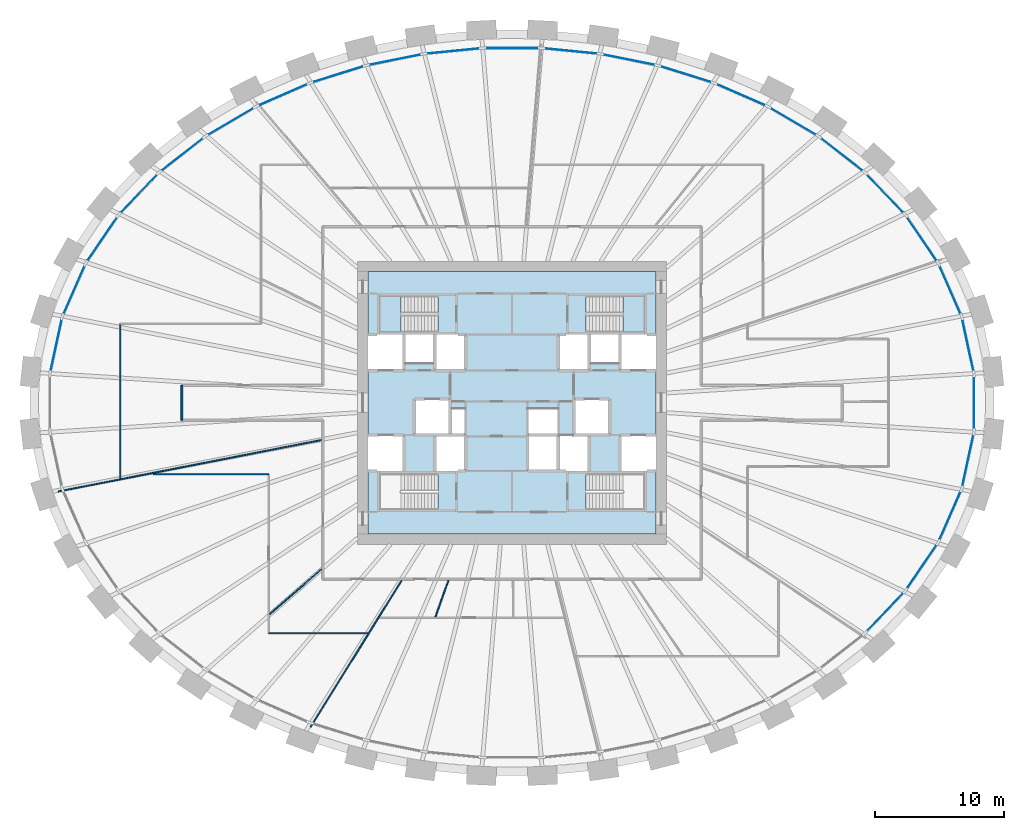
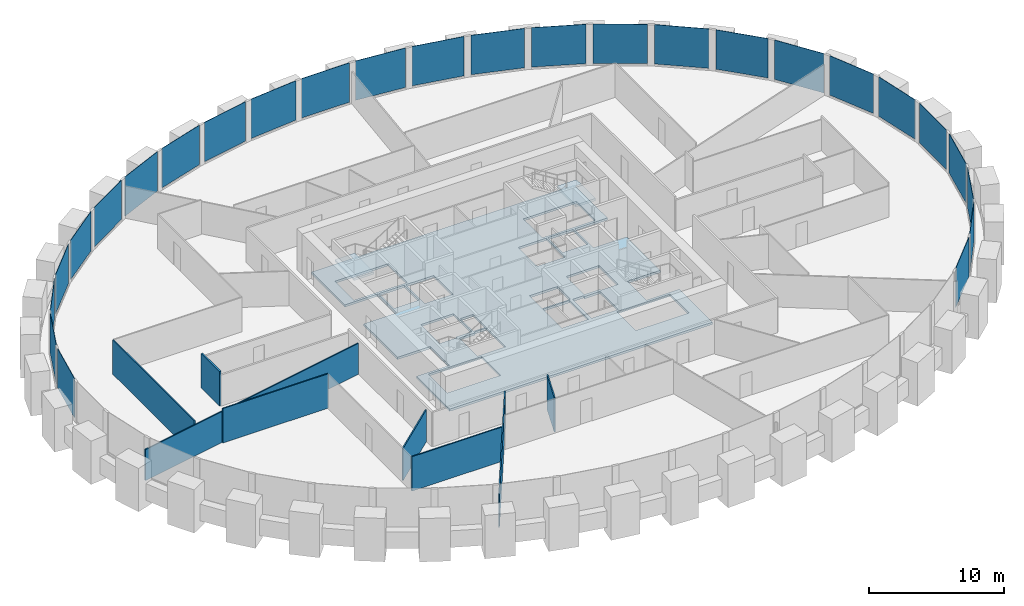
# One storey, part 5 of 10: 26 plates, 8 walls, 3 slabs, 3 elements without a shape of their own.
"""IFC4 building model written with IfcOpenShell, lengths in metres."""

import ifcopenshell
import ifcopenshell.guid

model = None  # the IFC model being written
_history = None  # IfcOwnerHistory: only IFC2X3 demands one
_inside = {}  # id of a spatial element -> (the spatial element, [elements in it])
_under = {}  # id of a project, library or spatial element -> (it, [spatial elements below it])
_declared = {}  # id of a project -> (the project, [libraries it declares])
_typed = {}  # id of a type object -> (the type object, [elements of that type])
_made_of = {}  # id of a material, layer set ... -> (it, [elements and type objects made of it])


def new_model(schema):
    """Start an empty IFC model of exactly this schema.

    Asked for "IFC4X3", IfcOpenShell would pick the latest addendum, in which some entities
    have other attributes; the version numbers below select the first issue.
    IFC2X3 requires an IfcOwnerHistory on every rooted entity: one is made here for all.
    """
    global model, _history
    if schema == "IFC4X3":
        model = ifcopenshell.file(schema_version=(4, 3, 0, 0))
    else:
        model = ifcopenshell.file(schema=schema)
    _inside.clear()
    _under.clear()
    _declared.clear()
    _typed.clear()
    _made_of.clear()
    _history = None
    if model.schema == "IFC2X3":
        org = make("IfcOrganization", Name="unknown")
        user = make(
            "IfcPersonAndOrganization",
            ThePerson=make("IfcPerson", FamilyName="unknown"),
            TheOrganization=org,
        )
        app = make(
            "IfcApplication",
            ApplicationDeveloper=org,
            Version="unknown",
            ApplicationFullName="unknown",
            ApplicationIdentifier="unknown",
        )
        _history = make(
            "IfcOwnerHistory",
            OwningUser=user,
            OwningApplication=app,
            ChangeAction="ADDED",
            CreationDate=0,
        )
    return model


def make(cls, **values):
    """One entity of the class cls with the attributes given. An attribute that is None is left unset."""
    return model.create_entity(
        cls, **{name: value for name, value in values.items() if value is not None}
    )


def rooted(cls, **values):
    """An entity with a GlobalId (a new one), such as an element, a storey or a relation."""
    return make(cls, GlobalId=ifcopenshell.guid.new(), OwnerHistory=_history, **values)


def si_unit(unit_type, name, prefix=None):
    """IfcSIUnit, for example si_unit("LENGTHUNIT", "METRE", prefix="MILLI")."""
    return make("IfcSIUnit", UnitType=unit_type, Prefix=prefix, Name=name)


def assignment(units):
    """IfcUnitAssignment: the units of a project."""
    return None if units is None else make("IfcUnitAssignment", Units=units)


def point(xyz):
    """IfcCartesianPoint."""
    return None if xyz is None else make("IfcCartesianPoint", Coordinates=xyz)


def direction(xyz):
    """IfcDirection."""
    return None if xyz is None else make("IfcDirection", DirectionRatios=xyz)


def frame(location, z_axis=None, x_axis=None):
    """IfcAxis2Placement3D, a coordinate frame: its origin and axes. An axis left out is left unset."""
    return make(
        "IfcAxis2Placement3D",
        Location=point(location),
        Axis=direction(z_axis),
        RefDirection=direction(x_axis),
    )


def frame_2d(location, x_axis=None):
    """IfcAxis2Placement2D, a coordinate frame in the plane: its origin and x axis."""
    return make(
        "IfcAxis2Placement2D", Location=point(location), RefDirection=direction(x_axis)
    )


def origin():
    """The frame at (0, 0, 0) with its axes left unset."""
    return frame((0.0, 0.0, 0.0))


def origin_2d():
    """The frame at (0, 0) in the plane with its x axis left unset."""
    return frame_2d((0.0, 0.0))


def place(relative_to, where):
    """IfcLocalPlacement: puts the frame where relative to a parent placement (None: the world)."""
    return make(
        "IfcLocalPlacement", PlacementRelTo=relative_to, RelativePlacement=where
    )


def context(
    kind, dimensions, precision=None, world=None, true_north=None, identifier=None
):
    """IfcGeometricRepresentationContext, for example the 3D "Model" context."""
    return make(
        "IfcGeometricRepresentationContext",
        ContextIdentifier=identifier,
        ContextType=kind,
        CoordinateSpaceDimension=dimensions,
        Precision=precision,
        WorldCoordinateSystem=world,
        TrueNorth=true_north,
    )


def subcontext(parent, identifier, kind, view, scale=None):
    """IfcGeometricRepresentationSubContext, for example "Body" below "Model"."""
    return make(
        "IfcGeometricRepresentationSubContext",
        ContextIdentifier=identifier,
        ContextType=kind,
        ParentContext=parent,
        TargetScale=scale,
        TargetView=view,
    )


def project(units=None, contexts=None):
    """IfcProject with its units and contexts."""
    return rooted(
        "IfcProject",
        Name="project",
        RepresentationContexts=contexts,
        UnitsInContext=assignment(units),
    )


def spatial(cls, under=None, at=None, **own):
    """A site, building, storey or space (cls), placed at a placement, below another one or the project."""
    s = rooted(cls, ObjectPlacement=at, **own)
    if under is not None:
        _under.setdefault(under.id(), (under, []))[1].append(s)
    return s


def polyline(points):
    """IfcPolyline through the points."""
    return make("IfcPolyline", Points=[point(p) for p in points])


def profile(cls, at=None, kind="AREA", **sizes):
    """A parametric profile (cls). Its sizes go by their IFC names, for example OverallWidth=200.0."""
    return make(cls, ProfileType=kind, Position=at, **sizes)


def rectangle(**sizes):
    """IfcRectangleProfileDef."""
    return profile("IfcRectangleProfileDef", **sizes)


def outline(outer, holes=None, kind="AREA"):
    """IfcArbitraryClosedProfileDef: a profile drawn as a closed curve; with holes, ...WithVoids."""
    if holes is None:
        return make("IfcArbitraryClosedProfileDef", ProfileType=kind, OuterCurve=outer)
    return make(
        "IfcArbitraryProfileDefWithVoids",
        ProfileType=kind,
        OuterCurve=outer,
        InnerCurves=holes,
    )


def extrude(swept, where, along, depth):
    """IfcExtrudedAreaSolid: the profile swept, set in the frame where, extruded along a direction by depth."""
    return make(
        "IfcExtrudedAreaSolid",
        SweptArea=swept,
        Position=where,
        ExtrudedDirection=direction(along),
        Depth=depth,
    )


def shape(context_of_items, identifier, shape_type, items):
    """IfcShapeRepresentation: the items that make up one representation, for example the "Body"."""
    return make(
        "IfcShapeRepresentation",
        ContextOfItems=context_of_items,
        RepresentationIdentifier=identifier,
        RepresentationType=shape_type,
        Items=items,
    )


def source(mapping_origin, context_of_items, identifier, shape_type, items):
    """IfcRepresentationMap: a shape defined once, which mapped items show again and again."""
    return make(
        "IfcRepresentationMap",
        MappingOrigin=mapping_origin,
        MappedRepresentation=shape(context_of_items, identifier, shape_type, items),
    )


def transform(
    local_origin,
    x_axis=None,
    y_axis=None,
    z_axis=None,
    scale=None,
    scale2=None,
    scale3=None,
    uniform=True,
):
    """IfcCartesianTransformationOperator3D, or its non-uniform kind. x_axis, y_axis, z_axis: its Axis1, 2, 3."""
    if uniform:
        return make(
            "IfcCartesianTransformationOperator3D",
            Axis1=direction(x_axis),
            Axis2=direction(y_axis),
            LocalOrigin=point(local_origin),
            Scale=scale,
            Axis3=direction(z_axis),
        )
    return make(
        "IfcCartesianTransformationOperator3DnonUniform",
        Axis1=direction(x_axis),
        Axis2=direction(y_axis),
        LocalOrigin=point(local_origin),
        Scale=scale,
        Axis3=direction(z_axis),
        Scale2=scale2,
        Scale3=scale3,
    )


def mapped(mapping_source, mapping_target):
    """IfcMappedItem: shows the shape of a source again, moved by a transform."""
    return make(
        "IfcMappedItem", MappingSource=mapping_source, MappingTarget=mapping_target
    )


def material(Name=None, Category=None):
    """IfcMaterial."""
    return make("IfcMaterial", Name=Name, Category=Category)


def layer(
    of_material, thickness, ventilated=None, Name=None, Category=None, Priority=None
):
    """IfcMaterialLayer: one layer of a wall or slab, of a material (None: an air gap)."""
    return make(
        "IfcMaterialLayer",
        Material=of_material,
        LayerThickness=thickness,
        IsVentilated=ventilated,
        Name=Name,
        Category=Category,
        Priority=Priority,
    )


def layer_set(layers, Name=None):
    """IfcMaterialLayerSet."""
    return make("IfcMaterialLayerSet", MaterialLayers=layers, LayerSetName=Name)


def made_of(thing, what):
    """Note that an element or type object is made of a material, layer set ...; save() writes the relation."""
    if what is not None:
        _made_of.setdefault(what.id(), (what, []))[1].append(thing)
    return thing


def type_object(cls, material=None, **own):
    """A type object (cls), such as IfcWallType, which elements share."""
    return made_of(rooted(cls, **own), material)


def element(
    cls,
    number,
    at=None,
    inside=None,
    cuts=None,
    type_object=None,
    material=None,
    context=None,
    identifier="Body",
    shape_type=None,
    held_by="IfcProductDefinitionShape",
    body=None,
    shapes=None,
    **own,
):
    """One element of the class cls, such as IfcWall. Its Tag is "e" and its number.

    at: its placement. inside: the storey or other place that contains it. cuts: it is an
    opening in that element (IfcRelVoidsElement). A single representation is given by context,
    identifier, shape_type and body (its items); several are given by shapes. held_by: the class
    of the entity that holds the representations. save() writes the other relations.
    """
    e = rooted(cls, Tag="e%d" % number, ObjectPlacement=at, **own)
    if body is not None:
        shapes = [shape(context, identifier, shape_type, body)]
    if shapes is not None:
        e.Representation = make(held_by, Representations=shapes)
    if inside is not None:
        _inside.setdefault(inside.id(), (inside, []))[1].append(e)
    if cuts is not None:
        rooted(
            "IfcRelVoidsElement", RelatingBuildingElement=cuts, RelatedOpeningElement=e
        )
    if type_object is not None:
        _typed.setdefault(type_object.id(), (type_object, []))[1].append(e)
    return made_of(e, material)


def aggregate(whole, parts):
    """IfcRelAggregates: a whole, such as a stair, and the parts it consists of."""
    return rooted("IfcRelAggregates", RelatingObject=whole, RelatedObjects=parts)


def save(model, path):
    """Write the relations noted so far, then the file.

    IfcRelAggregates (storeys below a building ...), IfcRelContainedInSpatialStructure (elements
    in a storey), IfcRelDefinesByType, IfcRelAssociatesMaterial and IfcRelDeclares: one each for
    every whole, place, type object, material and project.
    """
    for whole, parts in _under.values():
        aggregate(whole, parts)
    for where, things in _inside.values():
        rooted(
            "IfcRelContainedInSpatialStructure",
            RelatedElements=things,
            RelatingStructure=where,
        )
    for kind, things in _typed.values():
        rooted("IfcRelDefinesByType", RelatedObjects=things, RelatingType=kind)
    for what, things in _made_of.values():
        rooted("IfcRelAssociatesMaterial", RelatedObjects=things, RelatingMaterial=what)
    for by, libraries in _declared.values():
        rooted("IfcRelDeclares", RelatingContext=by, RelatedDefinitions=libraries)
    model.write(path)


model = new_model("IFC4")

# Units and contexts
model_context = context("Model", 3, precision=1e-05, world=origin(), true_north=direction((0.0, 1.0)))
body_context = subcontext(model_context, "Body", "Model", "MODEL_VIEW")
ifc_project = project(units=[si_unit("LENGTHUNIT", "METRE"), si_unit("AREAUNIT", "SQUARE_METRE"), si_unit("VOLUMEUNIT", "CUBIC_METRE"), si_unit("PLANEANGLEUNIT", "RADIAN"), si_unit("MASSUNIT", "GRAM", prefix="KILO")], contexts=[model_context])

# Site, building, storey
site_placement = place(None, origin())
site = spatial("IfcSite", under=ifc_project, at=site_placement, CompositionType="ELEMENT")
building_placement = place(site_placement, origin())
building = spatial("IfcBuilding", under=site, at=building_placement, Name="Embergate Tower", CompositionType="ELEMENT")
storey_placement = place(building_placement, frame((0.0, 0.0, 171.60009765625)))
storey = spatial("IfcBuildingStorey", under=building, at=storey_placement, Name="L38", CompositionType="ELEMENT", Elevation=171.60009765625)

# Curtain wall, plates
ifc_material_1 = material(Name="Aluminium and glass", Category="aluminium")
curtain_wall_type = type_object("IfcCurtainWallType", Name="Recessed office glazing", PredefinedType="NOTDEFINED", material=ifc_material_1)
curtain_wall_placement = place(storey_placement, origin())
curtain_wall = element("IfcCurtainWall", 1, at=curtain_wall_placement, inside=storey, type_object=curtain_wall_type, Name="Recessed office glazing ring", ObjectType="RECESSED OFFICE GLAZING", PredefinedType="USERDEFINED")
ifc_material_2 = material(Name="Triple glazing, low-emissivity coating", Category="glass")
ifc_layer_1 = layer(ifc_material_2, 0.035888671875)
ifc_layer_set_1 = layer_set([ifc_layer_1], Name="Triple glazing, low-emissivity coating")
plate_type = type_object("IfcPlateType", Name="Office glazing unit", PredefinedType="CURTAIN_PANEL", material=ifc_layer_set_1)
shared_shape_1 = source(origin(), body_context, "Body", "SweptSolid", [
    extrude(rectangle(XDim=4.055419921875, YDim=0.035888671875, at=origin_2d()), origin(), (0.0, 0.0, 1.0), 3.550048828125),
])
plate_1_placement = place(storey_placement, frame((13.518798828125, 25.533935546875, 0.14990234375), z_axis=(0.0, 0.0, 1.0), x_axis=(-0.954773255075, 0.29733488089, 0.0)))
plate_1 = element("IfcPlate", 2, at=plate_1_placement, type_object=plate_type, Name="CW panel 8.1", PredefinedType="CURTAIN_PANEL", context=body_context, shape_type="MappedRepresentation", body=[
    mapped(shared_shape_1, transform((0.0, 0.0, 0.0))),
])
plate_2_placement = place(storey_placement, frame((-13.518798828125, 25.533935546875, 0.14990234375), z_axis=(0.0, 0.0, 1.0), x_axis=(-0.954773255075, -0.29733488089, 0.0)))
plate_2 = element("IfcPlate", 3, at=plate_2_placement, type_object=plate_type, Name="CW panel 14.1", PredefinedType="CURTAIN_PANEL", context=body_context, shape_type="MappedRepresentation", body=[
    mapped(shared_shape_1, transform((0.0, 0.0, 0.0))),
])
shared_shape_2 = source(origin(), body_context, "Body", "SweptSolid", [
    extrude(rectangle(XDim=4.009765625, YDim=0.035888671875, at=origin_2d()), origin(), (0.0, 0.0, 1.0), 3.550048828125),
])
plate_3_placement = place(storey_placement, frame((35.423095703125, 4.4775390625, 0.14990234375), z_axis=(0.0, 0.0, 1.0), x_axis=(-0.210401803698, 0.977614996305, 0.0)))
plate_3 = element("IfcPlate", 4, at=plate_3_placement, type_object=plate_type, Name="CW panel 1.1", PredefinedType="CURTAIN_PANEL", context=body_context, shape_type="MappedRepresentation", body=[
    mapped(shared_shape_2, transform((0.0, 0.0, 0.0))),
])
plate_4_placement = place(storey_placement, frame((-35.423095703125, 4.4775390625, 0.14990234375), z_axis=(0.0, 0.0, 1.0), x_axis=(-0.210401803698, -0.977614996305, 0.0)))
plate_4 = element("IfcPlate", 5, at=plate_4_placement, type_object=plate_type, Name="CW panel 21.1", PredefinedType="CURTAIN_PANEL", context=body_context, shape_type="MappedRepresentation", body=[
    mapped(shared_shape_2, transform((0.0, 0.0, 0.0))),
])
plate_5_placement = place(storey_placement, frame((35.423095703125, -4.4775390625, 0.14990234375), z_axis=(0.0, 0.0, 1.0), x_axis=(0.210401803698, 0.977614996305, 0.0)))
plate_5 = element("IfcPlate", 6, at=plate_5_placement, type_object=plate_type, Name="CW panel 43.1", PredefinedType="CURTAIN_PANEL", context=body_context, shape_type="MappedRepresentation", body=[
    mapped(shared_shape_2, transform((0.0, 0.0, 0.0))),
])
shared_shape_3 = source(origin(), body_context, "Body", "SweptSolid", [
    extrude(rectangle(XDim=4.0166015625, YDim=0.035888671875, at=origin_2d()), origin(), (0.0, 0.0, 1.0), 3.550048828125),
])
plate_6_placement = place(storey_placement, frame((34.03564453125, 8.76904296875, 0.14990234375), z_axis=(0.0, 0.0, 1.0), x_axis=(-0.401658494584, 0.915789524797, 0.0)))
plate_6 = element("IfcPlate", 7, at=plate_6_placement, type_object=plate_type, Name="CW panel 2.1", PredefinedType="CURTAIN_PANEL", context=body_context, shape_type="MappedRepresentation", body=[
    mapped(shared_shape_3, transform((0.0, 0.0, 0.0))),
])
plate_7_placement = place(storey_placement, frame((-34.03564453125, 8.76904296875, 0.14990234375), z_axis=(0.0, 0.0, 1.0), x_axis=(-0.401658494584, -0.915789524797, 0.0)))
plate_7 = element("IfcPlate", 8, at=plate_7_placement, type_object=plate_type, Name="CW panel 20.1", PredefinedType="CURTAIN_PANEL", context=body_context, shape_type="MappedRepresentation", body=[
    mapped(shared_shape_3, transform((0.0, 0.0, 0.0))),
])
plate_8_placement = place(storey_placement, frame((34.03564453125, -8.76904296875, 0.14990234375), z_axis=(0.0, 0.0, 1.0), x_axis=(0.401658494584, 0.915789524797, 0.0)))
plate_8 = element("IfcPlate", 9, at=plate_8_placement, type_object=plate_type, Name="CW panel 42.1", PredefinedType="CURTAIN_PANEL", context=body_context, shape_type="MappedRepresentation", body=[
    mapped(shared_shape_3, transform((0.0, 0.0, 0.0))),
])
shared_shape_4 = source(origin(), body_context, "Body", "SweptSolid", [
    extrude(rectangle(XDim=4.025390625, YDim=0.035888671875, at=origin_2d()), origin(), (0.0, 0.0, 1.0), 3.550048828125),
])
plate_9_placement = place(storey_placement, frame((31.846435546875, 12.7255859375, 0.14990234375), z_axis=(0.0, 0.0, 1.0), x_axis=(-0.562347514787, 0.826901005328, 0.0)))
plate_9 = element("IfcPlate", 10, at=plate_9_placement, type_object=plate_type, Name="CW panel 3.1", PredefinedType="CURTAIN_PANEL", context=body_context, shape_type="MappedRepresentation", body=[
    mapped(shared_shape_4, transform((0.0, 0.0, 0.0))),
])
plate_10_placement = place(storey_placement, frame((-31.846435546875, 12.7255859375, 0.14990234375), z_axis=(0.0, 0.0, 1.0), x_axis=(-0.562347514787, -0.826901005328, 0.0)))
plate_10 = element("IfcPlate", 11, at=plate_10_placement, type_object=plate_type, Name="CW panel 19.1", PredefinedType="CURTAIN_PANEL", context=body_context, shape_type="MappedRepresentation", body=[
    mapped(shared_shape_4, transform((0.0, 0.0, 0.0))),
])
plate_11_placement = place(storey_placement, frame((31.846435546875, -12.7255859375, 0.14990234375), z_axis=(0.0, 0.0, 1.0), x_axis=(0.562347514787, 0.826901005328, 0.0)))
plate_11 = element("IfcPlate", 12, at=plate_11_placement, type_object=plate_type, Name="CW panel 41.1", PredefinedType="CURTAIN_PANEL", context=body_context, shape_type="MappedRepresentation", body=[
    mapped(shared_shape_4, transform((0.0, 0.0, 0.0))),
])
shared_shape_5 = source(origin(), body_context, "Body", "SweptSolid", [
    extrude(rectangle(XDim=4.0341796875, YDim=0.035888671875, at=origin_2d()), origin(), (0.0, 0.0, 1.0), 3.550048828125),
])
plate_12_placement = place(storey_placement, frame((28.996826171875, 16.252685546875, 0.14990234375), z_axis=(0.0, 0.0, 1.0), x_axis=(-0.690140099753, 0.723675785634, 0.0)))
plate_12 = element("IfcPlate", 13, at=plate_12_placement, type_object=plate_type, Name="CW panel 4.1", PredefinedType="CURTAIN_PANEL", context=body_context, shape_type="MappedRepresentation", body=[
    mapped(shared_shape_5, transform((0.0, 0.0, 0.0))),
])
plate_13_placement = place(storey_placement, frame((-28.996826171875, 16.252685546875, 0.14990234375), z_axis=(0.0, 0.0, 1.0), x_axis=(-0.690140099753, -0.723675785634, 0.0)))
plate_13 = element("IfcPlate", 14, at=plate_13_placement, type_object=plate_type, Name="CW panel 18.1", PredefinedType="CURTAIN_PANEL", context=body_context, shape_type="MappedRepresentation", body=[
    mapped(shared_shape_5, transform((0.0, 0.0, 0.0))),
])
plate_14_placement = place(storey_placement, frame((28.996826171875, -16.252685546875, 0.14990234375), z_axis=(0.0, 0.0, 1.0), x_axis=(0.690140099753, 0.723675785634, 0.0)))
plate_14 = element("IfcPlate", 15, at=plate_14_placement, type_object=plate_type, Name="CW panel 40.1", PredefinedType="CURTAIN_PANEL", context=body_context, shape_type="MappedRepresentation", body=[
    mapped(shared_shape_5, transform((0.0, 0.0, 0.0))),
])
shared_shape_6 = source(origin(), body_context, "Body", "SweptSolid", [
    extrude(rectangle(XDim=4.04150390625, YDim=0.035888671875, at=origin_2d()), origin(), (0.0, 0.0, 1.0), 3.550048828125),
])
plate_15_placement = place(storey_placement, frame((25.62744140625, 19.3037109375, 0.14990234375), z_axis=(0.0, 0.0, 1.0), x_axis=(-0.788324414597, 0.61525979663, 0.0)))
plate_15 = element("IfcPlate", 16, at=plate_15_placement, type_object=plate_type, Name="CW panel 5.1", PredefinedType="CURTAIN_PANEL", context=body_context, shape_type="MappedRepresentation", body=[
    mapped(shared_shape_6, transform((0.0, 0.0, 0.0))),
])
plate_16_placement = place(storey_placement, frame((-25.62744140625, 19.3037109375, 0.14990234375), z_axis=(0.0, 0.0, 1.0), x_axis=(-0.788324414597, -0.61525979663, 0.0)))
plate_16 = element("IfcPlate", 17, at=plate_16_placement, type_object=plate_type, Name="CW panel 17.1", PredefinedType="CURTAIN_PANEL", context=body_context, shape_type="MappedRepresentation", body=[
    mapped(shared_shape_6, transform((0.0, 0.0, 0.0))),
])
shared_shape_7 = source(origin(), body_context, "Body", "SweptSolid", [
    extrude(rectangle(XDim=4.047607421875, YDim=0.035888671875, at=origin_2d()), origin(), (0.0, 0.0, 1.0), 3.550048828125),
])
plate_17_placement = place(storey_placement, frame((21.86083984375, 21.864501953125, 0.14990234375), z_axis=(0.0, 0.0, 1.0), x_axis=(-0.862055821492, 0.506813339043, 0.0)))
plate_17 = element("IfcPlate", 18, at=plate_17_placement, type_object=plate_type, Name="CW panel 6.1", PredefinedType="CURTAIN_PANEL", context=body_context, shape_type="MappedRepresentation", body=[
    mapped(shared_shape_7, transform((0.0, 0.0, 0.0))),
])
plate_18_placement = place(storey_placement, frame((-21.86083984375, 21.864501953125, 0.14990234375), z_axis=(0.0, 0.0, 1.0), x_axis=(-0.862055821492, -0.506813339043, 0.0)))
plate_18 = element("IfcPlate", 19, at=plate_18_placement, type_object=plate_type, Name="CW panel 16.1", PredefinedType="CURTAIN_PANEL", context=body_context, shape_type="MappedRepresentation", body=[
    mapped(shared_shape_7, transform((0.0, 0.0, 0.0))),
])
shared_shape_8 = source(origin(), body_context, "Body", "SweptSolid", [
    extrude(rectangle(XDim=4.052001953125, YDim=0.035888671875, at=origin_2d()), origin(), (0.0, 0.0, 1.0), 3.550048828125),
])
plate_19_placement = place(storey_placement, frame((17.797607421875, 23.937744140625, 0.14990234375), z_axis=(0.0, 0.0, 1.0), x_axis=(-0.916238309467, 0.400633698365, 0.0)))
plate_19 = element("IfcPlate", 20, at=plate_19_placement, type_object=plate_type, Name="CW panel 7.1", PredefinedType="CURTAIN_PANEL", context=body_context, shape_type="MappedRepresentation", body=[
    mapped(shared_shape_8, transform((0.0, 0.0, 0.0))),
])
plate_20_placement = place(storey_placement, frame((-17.797607421875, 23.937744140625, 0.14990234375), z_axis=(0.0, 0.0, 1.0), x_axis=(-0.916238309467, -0.400633698365, 0.0)))
plate_20 = element("IfcPlate", 21, at=plate_20_placement, type_object=plate_type, Name="CW panel 15.1", PredefinedType="CURTAIN_PANEL", context=body_context, shape_type="MappedRepresentation", body=[
    mapped(shared_shape_8, transform((0.0, 0.0, 0.0))),
])
shared_shape_9 = source(origin(), body_context, "Body", "SweptSolid", [
    extrude(rectangle(XDim=4.0576171875, YDim=0.035888671875, at=origin_2d()), origin(), (0.0, 0.0, 1.0), 3.550048828125),
])
plate_21_placement = place(storey_placement, frame((9.090576171875, 26.6640625, 0.14990234375), z_axis=(0.0, 0.0, 1.0), x_axis=(-0.980476250608, 0.196637539636, 0.0)))
plate_21 = element("IfcPlate", 22, at=plate_21_placement, type_object=plate_type, Name="CW panel 9.1", PredefinedType="CURTAIN_PANEL", context=body_context, shape_type="MappedRepresentation", body=[
    mapped(shared_shape_9, transform((0.0, 0.0, 0.0))),
])
plate_22_placement = place(storey_placement, frame((-9.090576171875, 26.6640625, 0.14990234375), z_axis=(0.0, 0.0, 1.0), x_axis=(-0.980476250608, -0.196637539636, 0.0)))
plate_22 = element("IfcPlate", 23, at=plate_22_placement, type_object=plate_type, Name="CW panel 13.1", PredefinedType="CURTAIN_PANEL", context=body_context, shape_type="MappedRepresentation", body=[
    mapped(shared_shape_9, transform((0.0, 0.0, 0.0))),
])
shared_shape_10 = source(origin(), body_context, "Body", "SweptSolid", [
    extrude(rectangle(XDim=4.058837890625, YDim=0.035888671875, at=origin_2d()), origin(), (0.0, 0.0, 1.0), 3.550048828125),
])
plate_23_placement = place(storey_placement, frame((4.568115234375, 27.338134765625, 0.14990234375), z_axis=(0.0, 0.0, 1.0), x_axis=(-0.995203355531, 0.09782781373, 0.0)))
plate_23 = element("IfcPlate", 24, at=plate_23_placement, type_object=plate_type, Name="CW panel 10.1", PredefinedType="CURTAIN_PANEL", context=body_context, shape_type="MappedRepresentation", body=[
    mapped(shared_shape_10, transform((0.0, 0.0, 0.0))),
])
plate_24_placement = place(storey_placement, frame((-4.568115234375, 27.338134765625, 0.14990234375), z_axis=(0.0, 0.0, 1.0), x_axis=(-0.995203355531, -0.09782781373, 0.0)))
plate_24 = element("IfcPlate", 25, at=plate_24_placement, type_object=plate_type, Name="CW panel 12.1", PredefinedType="CURTAIN_PANEL", context=body_context, shape_type="MappedRepresentation", body=[
    mapped(shared_shape_10, transform((0.0, 0.0, 0.0))),
])
shared_shape_11 = source(origin(), body_context, "Body", "SweptSolid", [
    extrude(rectangle(XDim=4.05908203125, YDim=0.035888671875, at=origin_2d()), origin(), (0.0, 0.0, 1.0), 3.550048828125),
])
plate_25_placement = place(storey_placement, frame((0.0, 27.56201171875, 0.14990234375), z_axis=(0.0, 0.0, 1.0), x_axis=(-1.0, 0.0, 0.0)))
plate_25 = element("IfcPlate", 26, at=plate_25_placement, type_object=plate_type, Name="CW panel 11.1", PredefinedType="CURTAIN_PANEL", context=body_context, shape_type="MappedRepresentation", body=[
    mapped(shared_shape_11, transform((0.0, 0.0, 0.0))),
])
shared_shape_12 = source(origin(), body_context, "Body", "SweptSolid", [
    extrude(rectangle(XDim=4.007080078125, YDim=0.035888671875, at=origin_2d()), origin(), (0.0, 0.0, 1.0), 3.550048828125),
])
plate_26_placement = place(storey_placement, frame((35.899658203125, 0.0, 0.14990234375), z_axis=(0.0, 0.0, 1.0), x_axis=(0.0, 1.0, 0.0)))
plate_26 = element("IfcPlate", 27, at=plate_26_placement, type_object=plate_type, Name="CW panel 44.1", PredefinedType="CURTAIN_PANEL", context=body_context, shape_type="MappedRepresentation", body=[
    mapped(shared_shape_12, transform((0.0, 0.0, 0.0))),
])
aggregate(curtain_wall, [plate_3, plate_6, plate_9, plate_12, plate_15, plate_17, plate_19, plate_1, plate_21, plate_23, plate_25, plate_24, plate_22, plate_2, plate_20, plate_18, plate_16, plate_13, plate_10, plate_7, plate_4, plate_14, plate_11, plate_8, plate_5, plate_26])

# Stair, slab
ifc_material_3 = material(Name="Exit stair")
stair_type = type_object("IfcStairType", Name="Exit stair", PredefinedType="HALF_TURN_STAIR", material=ifc_material_3)
stair_1_placement = place(storey_placement, origin())
stair_1 = element("IfcStair", 28, at=stair_1_placement, inside=storey, type_object=stair_type, Name="L38 Exit stair 1", PredefinedType="HALF_TURN_STAIR")
ifc_material_4 = material(Name="Concrete C40", Category="concrete")
ifc_layer_2 = layer(ifc_material_4, 0.199951171875)
ifc_layer_set_2 = layer_set([ifc_layer_2], Name="Concrete C40")
slab_type_1 = type_object("IfcSlabType", Name="Stair landing reinforced concrete", PredefinedType="LANDING", material=ifc_layer_set_2)
shared_shape_13 = source(origin(), body_context, "Body", "SweptSolid", [
    extrude(outline(polyline([(0.0, 0.0), (1.68994140625, 0.0), (1.68994140625, 2.800048828125), (0.0, 2.800048828125), (0.0, 0.0)])), origin(), (0.0, 0.0, 1.0), 0.199951171875),
])
slab_1_placement = place(storey_placement, frame((-10.300048828125, 5.5, 1.75)))
slab_1 = element("IfcSlab", 29, at=slab_1_placement, type_object=slab_type_1, Name="ST1 landing 1", PredefinedType="LANDING", context=body_context, shape_type="MappedRepresentation", body=[
    mapped(shared_shape_13, transform((0.0, 0.0, 0.0))),
])
aggregate(stair_1, [slab_1])

stair_2_placement = place(storey_placement, origin())
stair_2 = element("IfcStair", 30, at=stair_2_placement, inside=storey, type_object=stair_type, Name="L38 Exit stair 2", PredefinedType="HALF_TURN_STAIR")
slab_2_placement = place(storey_placement, frame((8.610107421875, 5.5, 1.75)))
slab_2 = element("IfcSlab", 31, at=slab_2_placement, type_object=slab_type_1, Name="ST2 landing 1", PredefinedType="LANDING", context=body_context, shape_type="MappedRepresentation", body=[
    mapped(shared_shape_13, transform((0.0, 0.0, 0.0))),
])
aggregate(stair_2, [slab_2])

# Slab
ifc_layer_3 = layer(ifc_material_4, 0.199951171875)
ifc_layer_set_3 = layer_set([ifc_layer_3], Name="Concrete C40")
slab_type_2 = type_object("IfcSlabType", Name="Core floor slab 200 reinforced concrete", PredefinedType="FLOOR", material=ifc_layer_set_3)
shared_shape_14 = source(origin(), body_context, "Body", "SweptSolid", [
    extrude(outline(polyline([(0.0, 0.0), (22.39990234375, 0.0), (22.39990234375, 4.89990234375), (19.599853515625, 4.89990234375), (19.599853515625, 7.699951171875), (22.39990234375, 7.699951171875), (22.39990234375, 12.699951171875), (19.599853515625, 12.699951171875), (19.599853515625, 15.5), (22.39990234375, 15.5), (22.39990234375, 20.39990234375), (0.0, 20.39990234375), (0.0, 15.5), (2.800048828125, 15.5), (2.800048828125, 12.699951171875), (0.0, 12.699951171875), (0.0, 7.699951171875), (2.800048828125, 7.699951171875), (2.800048828125, 4.89990234375), (0.0, 4.89990234375), (0.0, 0.0)]), holes=[polyline([(0.89990234375, 1.89990234375), (0.89990234375, 4.699951171875), (5.43994140625, 4.699951171875), (5.43994140625, 1.89990234375), (0.89990234375, 1.89990234375)]), polyline([(16.9599609375, 1.89990234375), (16.9599609375, 4.699951171875), (21.5, 4.699951171875), (21.5, 1.89990234375), (16.9599609375, 1.89990234375)]), polyline([(5.199951171875, 4.89990234375), (5.199951171875, 7.574951171875), (6.52490234375, 7.574951171875), (6.52490234375, 7.699951171875), (7.599853515625, 7.699951171875), (7.599853515625, 4.89990234375), (5.199951171875, 4.89990234375)]), polyline([(12.39990234375, 4.89990234375), (12.39990234375, 7.699951171875), (14.675048828125, 7.699951171875), (14.675048828125, 4.89990234375), (12.39990234375, 4.89990234375)]), polyline([(14.925048828125, 4.89990234375), (14.925048828125, 7.699951171875), (15.875, 7.699951171875), (15.875, 7.574951171875), (17.199951171875, 7.574951171875), (17.199951171875, 4.89990234375), (14.925048828125, 4.89990234375)]), polyline([(3.599853515625, 7.699951171875), (3.599853515625, 10.5), (6.39990234375, 10.5), (6.39990234375, 7.824951171875), (5.074951171875, 7.824951171875), (5.074951171875, 7.699951171875), (3.599853515625, 7.699951171875)]), polyline([(17.324951171875, 7.699951171875), (17.324951171875, 7.824951171875), (16.0, 7.824951171875), (16.0, 10.5), (18.800048828125, 10.5), (18.800048828125, 7.699951171875), (17.324951171875, 7.699951171875)]), polyline([(6.52490234375, 7.824951171875), (6.52490234375, 9.699951171875), (7.599853515625, 9.699951171875), (7.599853515625, 7.824951171875), (6.52490234375, 7.824951171875)]), polyline([(12.39990234375, 7.824951171875), (12.39990234375, 9.699951171875), (14.800048828125, 9.699951171875), (14.800048828125, 7.824951171875), (14.675048828125, 7.824951171875), (12.39990234375, 7.824951171875)]), polyline([(5.199951171875, 12.699951171875), (5.199951171875, 15.5), (7.599853515625, 15.5), (7.599853515625, 12.699951171875), (5.199951171875, 12.699951171875)]), polyline([(14.800048828125, 12.699951171875), (14.800048828125, 15.5), (17.199951171875, 15.5), (17.199951171875, 12.699951171875), (14.800048828125, 12.699951171875)]), polyline([(2.925048828125, 13.300048828125), (2.925048828125, 15.5), (5.074951171875, 15.5), (5.074951171875, 13.300048828125), (2.925048828125, 13.300048828125)]), polyline([(17.324951171875, 13.300048828125), (17.324951171875, 15.5), (19.474853515625, 15.5), (19.474853515625, 13.300048828125), (17.324951171875, 13.300048828125)]), polyline([(0.89990234375, 15.699951171875), (0.89990234375, 18.5), (5.43994140625, 18.5), (5.43994140625, 15.699951171875), (0.89990234375, 15.699951171875)]), polyline([(16.9599609375, 15.699951171875), (16.9599609375, 18.5), (21.5, 18.5), (21.5, 15.699951171875), (16.9599609375, 15.699951171875)])]), origin(), (0.0, 0.0, 1.0), 0.2001953125),
])
slab_3_placement = place(storey_placement, frame((-11.199951171875, -10.199951171875, -0.2001953125)))
element("IfcSlab", 32, at=slab_3_placement, inside=storey, type_object=slab_type_2, Name="Core floor slab", PredefinedType="FLOOR", context=body_context, shape_type="MappedRepresentation", body=[
    mapped(shared_shape_14, transform((0.0, 0.0, 0.0))),
])

# Walls
ifc_material_5 = material(Name="Corridor wall dry-lined 150")
ifc_layer_4 = layer(ifc_material_5, 0.14990234375)
ifc_layer_set_4 = layer_set([ifc_layer_4], Name="Corridor wall dry-lined 150")
wall_type_1 = type_object("IfcWallType", Name="Corridor wall dry-lined 150", PredefinedType="PARTITIONING", material=ifc_layer_set_4)
shared_shape_15 = source(origin(), body_context, "Body", "SweptSolid", [
    extrude(rectangle(XDim=2.7001953125, YDim=0.14990234375, at=frame_2d((1.35009765625, 0.0))), origin(), (0.0, 0.0, 1.0), 3.099853515625),
])
wall_1_placement = place(storey_placement, frame((-25.64990234375, -1.35009765625, 0.0), z_axis=(0.0, 0.0, 1.0), x_axis=(0.0, 1.0, 0.0)))
element("IfcWall", 33, at=wall_1_placement, inside=storey, type_object=wall_type_1, Name="IP-2 wall", PredefinedType="PARTITIONING", context=body_context, shape_type="MappedRepresentation", body=[
    mapped(shared_shape_15, transform((0.0, 0.0, 0.0))),
])
ifc_material_6 = material(Name="Partition dry-lined 100")
ifc_layer_5 = layer(ifc_material_6, 0.10009765625)
ifc_layer_set_5 = layer_set([ifc_layer_5], Name="Partition dry-lined 100")
wall_type_2 = type_object("IfcWallType", Name="Partition dry-lined 100", PredefinedType="PARTITIONING", material=ifc_layer_set_5)
shared_shape_16 = source(origin(), body_context, "Body", "SweptSolid", [
    extrude(rectangle(XDim=5.321044921875, YDim=0.10009765625, at=frame_2d((2.66064453125, 0.0))), origin(), (0.0, 0.0, 1.0), 2.89990234375),
])
wall_2_placement = place(storey_placement, frame((-14.80810546875, -12.923095703125, 0.0), z_axis=(0.0, 0.0, 1.0), x_axis=(-0.753383328619, -0.65758159962, 0.0)))
element("IfcWall", 34, at=wall_2_placement, inside=storey, type_object=wall_type_2, Name="IP-1 wall", PredefinedType="PARTITIONING", context=body_context, shape_type="MappedRepresentation", body=[
    mapped(shared_shape_16, transform((0.0, 0.0, 0.0))),
])
shared_shape_17 = source(origin(), body_context, "Body", "SweptSolid", [
    extrude(rectangle(XDim=8.984130859375, YDim=0.10009765625, at=frame_2d((4.4921875, 0.0))), origin(), (0.0, 0.0, 1.0), 3.099853515625),
])
wall_3_placement = place(storey_placement, frame((-18.89990234375, -5.550048828125, 0.0), z_axis=(0.0, 0.0, 1.0), x_axis=(-1.0, 0.0, 0.0)))
element("IfcWall", 35, at=wall_3_placement, inside=storey, type_object=wall_type_2, Name="IP-1 wall", PredefinedType="PARTITIONING", context=body_context, shape_type="MappedRepresentation", body=[
    mapped(shared_shape_17, transform((0.0, 0.0, 0.0))),
])
shared_shape_18 = source(origin(), body_context, "Body", "SweptSolid", [
    extrude(rectangle(XDim=13.40380859375, YDim=0.10009765625, at=frame_2d((6.701904296875, 0.0))), origin(), (0.0, 0.0, 1.0), 2.89990234375),
])
wall_4_placement = place(storey_placement, frame((-8.575927734375, -13.801025390625, 0.0), z_axis=(0.0, 0.0, 1.0), x_axis=(-0.527762253898, -0.849392137567, 0.0)))
element("IfcWall", 36, at=wall_4_placement, inside=storey, type_object=wall_type_2, Name="IP-1 wall", PredefinedType="PARTITIONING", context=body_context, shape_type="MappedRepresentation", body=[
    mapped(shared_shape_18, transform((0.0, 0.0, 0.0))),
])
shared_shape_19 = source(origin(), body_context, "Body", "SweptSolid", [
    extrude(rectangle(XDim=7.68701171875, YDim=0.10009765625, at=frame_2d((3.843505859375, 0.0))), origin(), (0.0, 0.0, 1.0), 3.099853515625),
])
wall_5_placement = place(storey_placement, frame((-11.212890625, -17.89990234375, 0.0), z_axis=(0.0, 0.0, 1.0), x_axis=(-1.0, 0.0, 0.0)))
element("IfcWall", 37, at=wall_5_placement, inside=storey, type_object=wall_type_2, Name="IP-1 wall", PredefinedType="PARTITIONING", context=body_context, shape_type="MappedRepresentation", body=[
    mapped(shared_shape_19, transform((0.0, 0.0, 0.0))),
])
shared_shape_20 = source(origin(), body_context, "Body", "SweptSolid", [
    extrude(rectangle(XDim=3.017578125, YDim=0.10009765625, at=frame_2d((1.5087890625, 0.0))), origin(), (0.0, 0.0, 1.0), 3.099853515625),
])
wall_6_placement = place(storey_placement, frame((-4.93505859375, -13.7919921875, 0.0), z_axis=(0.0, 0.0, 1.0), x_axis=(-0.336976984183, -0.94151288474, 0.0)))
element("IfcWall", 38, at=wall_6_placement, inside=storey, type_object=wall_type_2, Name="IP-1 wall", PredefinedType="PARTITIONING", context=body_context, shape_type="MappedRepresentation", body=[
    mapped(shared_shape_20, transform((0.0, 0.0, 0.0))),
])
shared_shape_21 = source(origin(), body_context, "Body", "SweptSolid", [
    extrude(rectangle(XDim=12.039794921875, YDim=0.10009765625, at=frame_2d((6.02001953125, 0.0))), origin(), (0.0, 0.0, 1.0), 3.099853515625),
])
wall_7_placement = place(storey_placement, frame((-30.449951171875, 6.14990234375, 0.0), z_axis=(0.0, 0.0, 1.0), x_axis=(0.0, -1.0, 0.0)))
element("IfcWall", 39, at=wall_7_placement, inside=storey, type_object=wall_type_2, Name="IP-1 wall", PredefinedType="PARTITIONING", context=body_context, shape_type="MappedRepresentation", body=[
    mapped(shared_shape_21, transform((0.0, 0.0, 0.0))),
])
shared_shape_22 = source(origin(), body_context, "Body", "SweptSolid", [
    extrude(rectangle(XDim=20.863525390625, YDim=0.10009765625, at=frame_2d((10.431640625, 0.0))), origin(), (0.0, 0.0, 1.0), 2.7998046875),
])
wall_8_placement = place(storey_placement, frame((-14.784912109375, -2.888916015625, 0.0), z_axis=(0.0, 0.0, 1.0), x_axis=(-0.981428685666, -0.19182735715, 0.0)))
element("IfcWall", 40, at=wall_8_placement, inside=storey, type_object=wall_type_2, Name="IP-1 wall", PredefinedType="PARTITIONING", context=body_context, shape_type="MappedRepresentation", body=[
    mapped(shared_shape_22, transform((0.0, 0.0, 0.0))),
])

save(model, "model.ifc")
